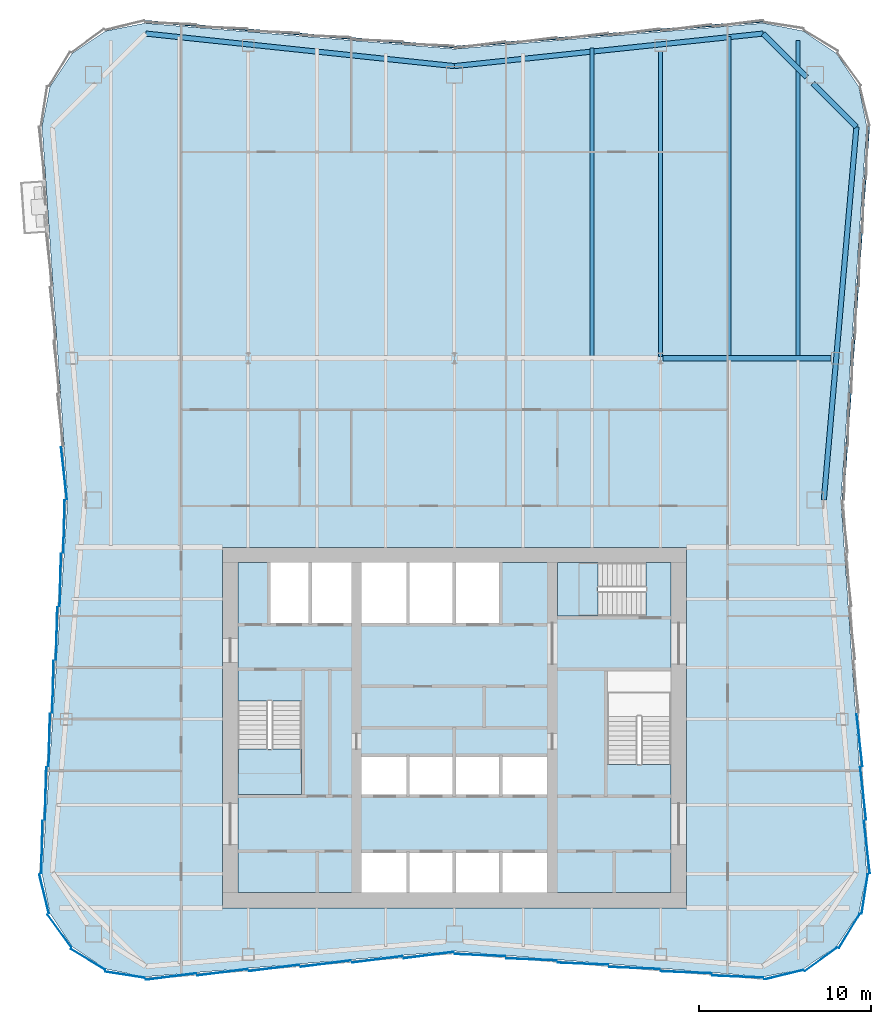
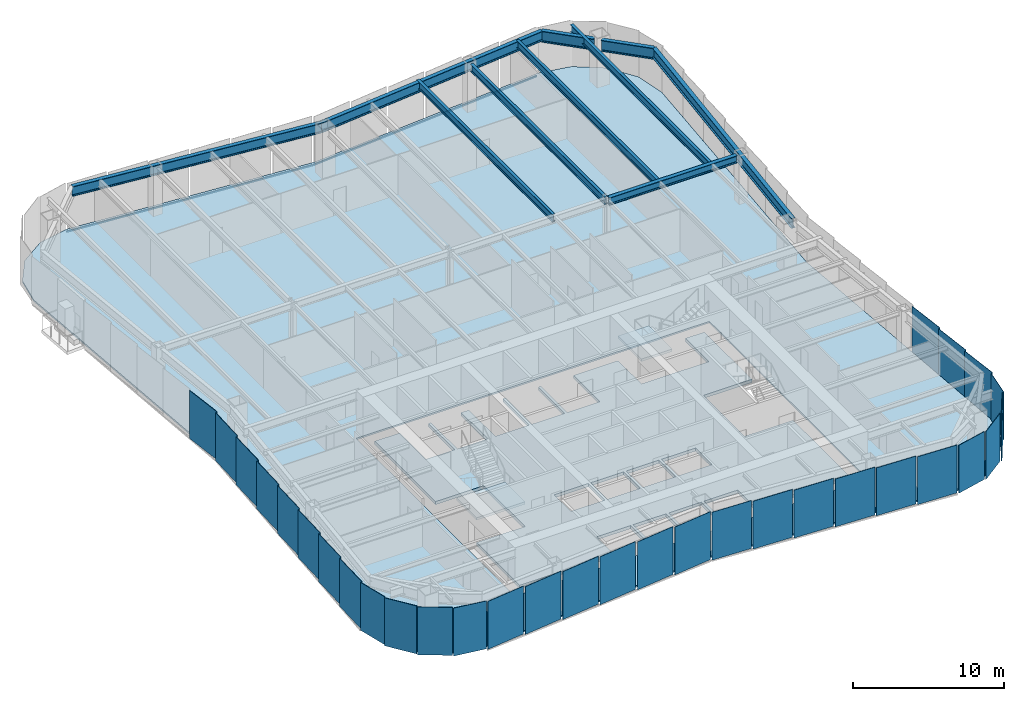
# One storey, part 3 of 10: 31 plates, 10 beams, 4 slabs, 3 members, 8 elements without a shape of their own.
"""IFC4 building model written with IfcOpenShell, lengths in metres."""

from ifc_helpers import new_model, si_unit, direction, frame, origin, origin_2d, place, context, subcontext, project, spatial, polyline, rectangle, i_section, outline, extrude, material, layer, layer_set, material_profile, profile_set, type_object, element, aggregate, save


model = new_model("IFC4")

# Units and contexts
model_context = context("Model", 3, precision=1e-05, world=origin(), true_north=direction((0.0, 1.0)))
body_context = subcontext(model_context, "Body", "Model", "MODEL_VIEW")
ifc_project = project(units=[si_unit("LENGTHUNIT", "METRE"), si_unit("AREAUNIT", "SQUARE_METRE"), si_unit("VOLUMEUNIT", "CUBIC_METRE"), si_unit("PLANEANGLEUNIT", "RADIAN"), si_unit("MASSUNIT", "GRAM", prefix="KILO")], contexts=[model_context])

# Site, building, storey
site_placement = place(None, origin())
site = spatial("IfcSite", under=ifc_project, at=site_placement, CompositionType="ELEMENT")
building_placement = place(site_placement, origin())
building = spatial("IfcBuilding", under=site, at=building_placement, Name="Verdant Reach Tower", CompositionType="ELEMENT")
storey_placement = place(building_placement, frame((0.0, 0.0, 190.0)))
storey = spatial("IfcBuildingStorey", under=building, at=storey_placement, Name="L43", CompositionType="ELEMENT", Elevation=190.0)

# Curtain wall, member
ifc_material_1 = material(Name="Anodised aluminium", Category="aluminium")
curtain_wall_type = type_object("IfcCurtainWallType", Name="EN-CW SYSTEM Z3", PredefinedType="NOTDEFINED", material=ifc_material_1)
curtain_wall_1_placement = place(storey_placement, origin())
curtain_wall_1 = element("IfcCurtainWall", 1, at=curtain_wall_1_placement, inside=storey, type_object=curtain_wall_type, Name="Curtain wall east, L43", PredefinedType="NOTDEFINED")
ifc_material_profile_1 = material_profile(ifc_material_1, rectangle(XDim=0.10009765625, YDim=0.1259765625, at=origin_2d()), Name="Transom 126x100")
ifc_profile_set_1 = profile_set([ifc_material_profile_1], Name="Anodised aluminium")
member_type = type_object("IfcMemberType", Name="EN-TRANSOM Z3", PredefinedType="USERDEFINED", material=ifc_profile_set_1)
member_1_placement = place(storey_placement, frame((22.611328125, 41.282958984375, -0.287109375), z_axis=(0.068764326054, 0.997632932226, 0.0), x_axis=(-0.997632932226, 0.068764326054, 0.0)))
member_1 = element("IfcMember", 2, at=member_1_placement, type_object=member_type, Name="Transom east face part 2 1.1, L43", ObjectType="TRANSOM", PredefinedType="USERDEFINED", context=body_context, shape_type="SweptSolid", body=[
    extrude(rectangle(XDim=0.10009765625, YDim=0.1259765625, at=origin_2d()), origin(), (0.0, 0.0, 1.0), 21.74267578125),
])

# Curtain wall, members
curtain_wall_2_placement = place(storey_placement, origin())
curtain_wall_2 = element("IfcCurtainWall", 3, at=curtain_wall_2_placement, inside=storey, type_object=curtain_wall_type, Name="Curtain wall north, L43", PredefinedType="NOTDEFINED")
member_2_placement = place(storey_placement, frame((17.973388671875, 69.106201171875, -0.287109375), z_axis=(-0.996548750467, -0.083009565369, 0.0), x_axis=(0.083009565369, -0.996548750467, 0.0)))
member_2 = element("IfcMember", 4, at=member_2_placement, type_object=member_type, Name="Transom north face part 1 1.1, L43", ObjectType="TRANSOM", PredefinedType="USERDEFINED", context=body_context, shape_type="SweptSolid", body=[
    extrude(rectangle(XDim=0.10009765625, YDim=0.1259765625, at=origin_2d()), origin(), (0.0, 0.0, 1.0), 18.00244140625),
])
member_3_placement = place(storey_placement, frame((-0.032958984375, 67.61181640625, -0.287109375), z_axis=(-0.996548750467, 0.083009565369, 0.0), x_axis=(-0.083009565369, -0.996548750467, 0.0)))
member_3 = element("IfcMember", 5, at=member_3_placement, type_object=member_type, Name="Transom north face part 2 1.1, L43", ObjectType="TRANSOM", PredefinedType="USERDEFINED", context=body_context, shape_type="SweptSolid", body=[
    extrude(rectangle(XDim=0.10009765625, YDim=0.1259765625, at=origin_2d()), origin(), (0.0, 0.0, 1.0), 18.00244140625),
])
aggregate(curtain_wall_2, [member_2, member_3])

# Beams
ifc_material_2 = material(Name="Steel S355", Category="steel")
ifc_material_profile_2 = material_profile(ifc_material_2, i_section(OverallWidth=0.300048828125, OverallDepth=0.60009765625, WebThickness=0.015380859375, FlangeThickness=0.030029296875, FilletRadius=0.027099609375, at=origin_2d()), Name="HEB 600")
ifc_profile_set_2 = profile_set([ifc_material_profile_2], Name="Steel S355")
beam_type_1 = type_object("IfcBeamType", Name="ST-BEAM-HEB600", PredefinedType="BEAM", material=ifc_profile_set_2)
beam_1_placement = place(storey_placement, frame((12.152587890625, 49.5, 3.570068359375), z_axis=(1.0, 0.0, 0.0), x_axis=(0.0, 1.0, 0.0)))
element("IfcBeam", 6, at=beam_1_placement, inside=storey, type_object=beam_type_1, Name="Row girder, L43", PredefinedType="BEAM", context=body_context, shape_type="SweptSolid", body=[
    extrude(i_section(OverallWidth=0.300048828125, OverallDepth=0.60009765625, WebThickness=0.015380859375, FlangeThickness=0.030029296875, FilletRadius=0.027099609375, at=origin_2d()), origin(), (0.0, 0.0, 1.0), 9.766357421875),
])
ifc_material_profile_3 = material_profile(ifc_material_2, i_section(OverallWidth=0.219970703125, OverallDepth=0.60009765625, WebThickness=0.011962890625, FlangeThickness=0.01904296875, FilletRadius=0.02392578125, at=origin_2d()), Name="IPE 600")
ifc_profile_set_3 = profile_set([ifc_material_profile_3], Name="Steel S355")
beam_type_2 = type_object("IfcBeamType", Name="ST-JOIST-IPE600", PredefinedType="JOIST", material=ifc_profile_set_3)
beam_2_placement = place(storey_placement, frame((8.0, 49.60009765625, 3.570068359375), z_axis=(0.0, 1.0, 0.0), x_axis=(-1.0, 0.0, 0.0)))
element("IfcBeam", 7, at=beam_2_placement, inside=storey, type_object=beam_type_2, Name="Floor joist, L43", PredefinedType="JOIST", context=body_context, shape_type="SweptSolid", body=[
    extrude(i_section(OverallWidth=0.219970703125, OverallDepth=0.60009765625, WebThickness=0.011962890625, FlangeThickness=0.01904296875, FilletRadius=0.02392578125, at=origin_2d()), origin(), (0.0, 0.0, 1.0), 17.964599609375),
])
beam_3_placement = place(storey_placement, frame((12.0, 49.60009765625, 3.570068359375), z_axis=(0.0, 1.0, 0.0), x_axis=(-1.0, 0.0, 0.0)))
element("IfcBeam", 8, at=beam_3_placement, inside=storey, type_object=beam_type_2, Name="Floor joist, L43", PredefinedType="JOIST", context=body_context, shape_type="SweptSolid", body=[
    extrude(i_section(OverallWidth=0.219970703125, OverallDepth=0.60009765625, WebThickness=0.011962890625, FlangeThickness=0.01904296875, FilletRadius=0.02392578125, at=origin_2d()), origin(), (0.0, 0.0, 1.0), 17.75),
])
beam_4_placement = place(storey_placement, frame((16.0, 49.60009765625, 3.570068359375), z_axis=(0.0, 1.0, 0.0), x_axis=(-1.0, 0.0, 0.0)))
element("IfcBeam", 9, at=beam_4_placement, inside=storey, type_object=beam_type_2, Name="Floor joist, L43", PredefinedType="JOIST", context=body_context, shape_type="SweptSolid", body=[
    extrude(i_section(OverallWidth=0.219970703125, OverallDepth=0.60009765625, WebThickness=0.011962890625, FlangeThickness=0.01904296875, FilletRadius=0.02392578125, at=origin_2d()), origin(), (0.0, 0.0, 1.0), 18.631103515625),
])
beam_5_placement = place(storey_placement, frame((20.0, 49.60009765625, 3.570068359375), z_axis=(0.0, 1.0, 0.0), x_axis=(-1.0, 0.0, 0.0)))
element("IfcBeam", 10, at=beam_5_placement, inside=storey, type_object=beam_type_2, Name="Floor joist, L43", PredefinedType="JOIST", context=body_context, shape_type="SweptSolid", body=[
    extrude(i_section(OverallWidth=0.219970703125, OverallDepth=0.60009765625, WebThickness=0.011962890625, FlangeThickness=0.01904296875, FilletRadius=0.02392578125, at=origin_2d()), origin(), (0.0, 0.0, 1.0), 18.390380859375),
])
ifc_material_profile_4 = material_profile(ifc_material_2, i_section(OverallWidth=0.300048828125, OverallDepth=0.800048828125, WebThickness=0.017578125, FlangeThickness=0.032958984375, FilletRadius=0.030029296875, at=origin_2d()), Name="HEB 800")
ifc_profile_set_4 = profile_set([ifc_material_profile_4], Name="Steel S355")
beam_type_3 = type_object("IfcBeamType", Name="ST-SPANDREL-HEB800", PredefinedType="SPANDREL", material=ifc_profile_set_4)
for number, where, z_axis, x_axis, name in (
    (11, (-17.9658203125, 68.39501953125, 3.469970703125), (0.994483067002, -0.104897232783, 0.0), (0.104897232783, 0.994483067002, 0.0), "Edge beam, L43"),
    (12, (0.0, 66.5, 3.469970703125), (0.994483067002, 0.104897232783, 0.0), (-0.104897232783, 0.994483067002, 0.0), "Edge beam, L43"),
):
    element("IfcBeam", number, at=place(storey_placement, frame(where, z_axis=z_axis, x_axis=x_axis)), inside=storey, type_object=beam_type_3, Name=name, PredefinedType="SPANDREL", context=body_context, shape_type="SweptSolid", body=[
        extrude(i_section(OverallWidth=0.300048828125, OverallDepth=0.800048828125, WebThickness=0.017578125, FlangeThickness=0.032958984375, FilletRadius=0.030029296875, at=origin_2d()), origin(), (0.0, 0.0, 1.0), 18.0654296875),
    ])
beam_6_placement = place(storey_placement, frame((23.39599609375, 62.96142578125, 3.469970703125), z_axis=(-0.086996024331, -0.996208658741, 0.0), x_axis=(0.996208658741, -0.086996024331, 0.0)))
element("IfcBeam", 13, at=beam_6_placement, inside=storey, type_object=beam_type_3, Name="Edge beam, L43", PredefinedType="SPANDREL", context=body_context, shape_type="SweptSolid", body=[
    extrude(i_section(OverallWidth=0.300048828125, OverallDepth=0.800048828125, WebThickness=0.017578125, FlangeThickness=0.032958984375, FilletRadius=0.030029296875, at=origin_2d()), origin(), (0.0, 0.0, 1.0), 21.7939453125),
])
ifc_material_profile_5 = material_profile(ifc_material_2, i_section(OverallWidth=0.302001953125, OverallDepth=0.909912109375, WebThickness=0.02099609375, FlangeThickness=0.0400390625, FilletRadius=0.030029296875, at=origin_2d()), Name="HEM 900")
ifc_profile_set_5 = profile_set([ifc_material_profile_5], Name="Steel S355")
beam_type_4 = type_object("IfcBeamType", Name="ST-SPANDREL-HEM900", PredefinedType="SPANDREL", material=ifc_profile_set_5)
beam_7_placement = place(storey_placement, frame((17.9658203125, 68.39501953125, 3.4150390625), z_axis=(0.706868394255, -0.707345087777, 0.0), x_axis=(0.707345087777, 0.706868394255, 0.0)))
element("IfcBeam", 14, at=beam_7_placement, inside=storey, type_object=beam_type_4, Name="Edge beam, L43", PredefinedType="SPANDREL", context=body_context, shape_type="SweptSolid", body=[
    extrude(i_section(OverallWidth=0.302001953125, OverallDepth=0.909912109375, WebThickness=0.02099609375, FlangeThickness=0.0400390625, FilletRadius=0.030029296875, at=origin_2d()), origin(), (0.0, 0.0, 1.0), 3.5849609375),
])
beam_8_placement = place(storey_placement, frame((20.85888671875, 65.5, 3.4150390625), z_axis=(0.706902680526, -0.707310822952, 0.0), x_axis=(0.707310822952, 0.706902680526, 0.0)))
element("IfcBeam", 15, at=beam_8_placement, inside=storey, type_object=beam_type_4, Name="Edge beam, L43", PredefinedType="SPANDREL", context=body_context, shape_type="SweptSolid", body=[
    extrude(i_section(OverallWidth=0.302001953125, OverallDepth=0.909912109375, WebThickness=0.02099609375, FlangeThickness=0.0400390625, FilletRadius=0.030029296875, at=origin_2d()), origin(), (0.0, 0.0, 1.0), 3.589111328125),
])

# Stair, slab
ifc_material_3 = material(Name="Concrete C40/50", Category="concrete")
stair_type = type_object("IfcStairType", Name="CO-STAIR", PredefinedType="HALF_TURN_STAIR", material=ifc_material_3)
stair_1_placement = place(storey_placement, origin())
stair_1 = element("IfcStair", 16, at=stair_1_placement, inside=storey, type_object=stair_type, Name="L43 Exit stair 1", PredefinedType="HALF_TURN_STAIR")
ifc_layer_1 = layer(ifc_material_3, 0.199951171875)
ifc_layer_set_1 = layer_set([ifc_layer_1], Name="CO-STAIR-LANDING")
slab_type_1 = type_object("IfcSlabType", Name="CO-STAIR-LANDING", PredefinedType="LANDING", material=ifc_layer_set_1)
slab_1_placement = place(storey_placement, frame((0.0, 0.0, 1.800048828125)))
slab_1 = element("IfcSlab", 17, at=slab_1_placement, type_object=slab_type_1, Name="ST-1 landing 1", PredefinedType="LANDING", context=body_context, shape_type="SweptSolid", body=[
    extrude(outline(polyline([(-12.60009765625, 26.75), (-12.60009765625, 24.10009765625), (-8.89990234375, 24.10009765625), (-8.89990234375, 26.75), (-12.60009765625, 26.75)])), origin(), (0.0, 0.0, 1.0), 0.199951171875),
])
aggregate(stair_1, [slab_1])

stair_2_placement = place(storey_placement, origin())
stair_2 = element("IfcStair", 18, at=stair_2_placement, inside=storey, type_object=stair_type, Name="L43 Exit stair 3", PredefinedType="HALF_TURN_STAIR")
slab_2_placement = place(storey_placement, frame((0.0, 0.0, 1.800048828125)))
slab_2 = element("IfcSlab", 19, at=slab_2_placement, type_object=slab_type_1, Name="ST-3 landing 1", PredefinedType="LANDING", context=body_context, shape_type="SweptSolid", body=[
    extrude(outline(polyline([(8.35009765625, 37.60009765625), (6.0, 37.60009765625), (6.0, 34.5), (8.35009765625, 34.5), (8.35009765625, 37.60009765625)])), origin(), (0.0, 0.0, 1.0), 0.199951171875),
])
aggregate(stair_2, [slab_2])

# Curtain wall, plates
curtain_wall_3_placement = place(storey_placement, origin())
curtain_wall_3 = element("IfcCurtainWall", 20, at=curtain_wall_3_placement, inside=storey, type_object=curtain_wall_type, Name="Curtain wall south-east corner, L43", PredefinedType="NOTDEFINED")
ifc_material_4 = material(Name="Tinted glass with champagne spandrel", Category="glass")
ifc_layer_2 = layer(ifc_material_4, 0.031982421875)
ifc_layer_set_2 = layer_set([ifc_layer_2], Name="EN-PANEL CHAMPAGNE")
plate_type_1 = type_object("IfcPlateType", Name="EN-PANEL CHAMPAGNE", PredefinedType="CURTAIN_PANEL", material=ifc_layer_set_2)
plate_1_placement = place(storey_placement, frame((19.171875, 13.62353515625, -0.22412109375), z_axis=(0.0, 0.0, 1.0), x_axis=(0.971655117833, 0.236402901821, 0.0)))
plate_1 = element("IfcPlate", 21, at=plate_1_placement, type_object=plate_type_1, Name="Glass panel south-east corner 1.1, L43", PredefinedType="CURTAIN_PANEL", context=body_context, shape_type="SweptSolid", body=[
    extrude(rectangle(XDim=2.3154296875, YDim=0.031982421875, at=origin_2d()), origin(), (0.0, 0.0, 1.0), 3.8740234375),
])
plate_2_placement = place(storey_placement, frame((21.328857421875, 14.51806640625, -0.22412109375), z_axis=(0.0, 0.0, 1.0), x_axis=(0.807456768214, 0.589926747542, 0.0)))
plate_2 = element("IfcPlate", 22, at=plate_2_placement, type_object=plate_type_1, Name="Glass panel south-east corner 2.1, L43", PredefinedType="CURTAIN_PANEL", context=body_context, shape_type="SweptSolid", body=[
    extrude(rectangle(XDim=2.321533203125, YDim=0.031982421875, at=origin_2d()), origin(), (0.0, 0.0, 1.0), 3.8740234375),
])

curtain_wall_4_placement = place(storey_placement, origin())
curtain_wall_4 = element("IfcCurtainWall", 23, at=curtain_wall_4_placement, inside=storey, type_object=curtain_wall_type, Name="Curtain wall west, L43", PredefinedType="NOTDEFINED")
plate_3_placement = place(storey_placement, frame((-23.358642578125, 30.382568359375, -0.22412109375), z_axis=(0.0, 0.0, 1.0), x_axis=(-0.026965318308, -0.999636369691, 0.0)))
plate_3 = element("IfcPlate", 24, at=plate_3_placement, type_object=plate_type_1, Name="Glass panel west face part 2 4.1, L43", PredefinedType="CURTAIN_PANEL", context=body_context, shape_type="SweptSolid", body=[
    extrude(rectangle(XDim=3.052490234375, YDim=0.031982421875, at=origin_2d()), origin(), (0.0, 0.0, 1.0), 3.8740234375),
])
plate_4_placement = place(storey_placement, frame((-23.572998046875, 27.275390625, -0.22412109375), z_axis=(0.0, 0.0, 1.0), x_axis=(-0.026965318308, -0.999636369691, 0.0)))
plate_4 = element("IfcPlate", 25, at=plate_4_placement, type_object=plate_type_1, Name="Glass panel west face part 2 5.1, L43", PredefinedType="CURTAIN_PANEL", context=body_context, shape_type="SweptSolid", body=[
    extrude(rectangle(XDim=3.052490234375, YDim=0.031982421875, at=origin_2d()), origin(), (0.0, 0.0, 1.0), 3.8740234375),
])
plate_5_placement = place(storey_placement, frame((-23.787353515625, 24.168212890625, -0.22412109375), z_axis=(0.0, 0.0, 1.0), x_axis=(-0.026965318308, -0.999636369691, 0.0)))
plate_5 = element("IfcPlate", 26, at=plate_5_placement, type_object=plate_type_1, Name="Glass panel west face part 2 6.1, L43", PredefinedType="CURTAIN_PANEL", context=body_context, shape_type="SweptSolid", body=[
    extrude(rectangle(XDim=3.052490234375, YDim=0.031982421875, at=origin_2d()), origin(), (0.0, 0.0, 1.0), 3.8740234375),
])

curtain_wall_5_placement = place(storey_placement, origin())
curtain_wall_5 = element("IfcCurtainWall", 27, at=curtain_wall_5_placement, inside=storey, type_object=curtain_wall_type, Name="Curtain wall south-west corner, L43", PredefinedType="NOTDEFINED")
plate_6_placement = place(storey_placement, frame((-21.328857421875, 14.51806640625, -0.22412109375), z_axis=(0.0, 0.0, 1.0), x_axis=(0.853988701636, -0.520291550457, 0.0)))
plate_6 = element("IfcPlate", 28, at=plate_6_placement, type_object=plate_type_1, Name="Glass panel south-west corner 3.1, L43", PredefinedType="CURTAIN_PANEL", context=body_context, shape_type="SweptSolid", body=[
    extrude(rectangle(XDim=2.321533203125, YDim=0.031982421875, at=origin_2d()), origin(), (0.0, 0.0, 1.0), 3.8740234375),
])
plate_7_placement = place(storey_placement, frame((-19.171875, 13.62353515625, -0.22412109375), z_axis=(0.0, 0.0, 1.0), x_axis=(0.988029071555, -0.154267798848, 0.0)))
plate_7 = element("IfcPlate", 29, at=plate_7_placement, type_object=plate_type_1, Name="Glass panel south-west corner 4.1, L43", PredefinedType="CURTAIN_PANEL", context=body_context, shape_type="SweptSolid", body=[
    extrude(rectangle(XDim=2.3154296875, YDim=0.031982421875, at=origin_2d()), origin(), (0.0, 0.0, 1.0), 3.8740234375),
])

curtain_wall_6_placement = place(storey_placement, origin())
curtain_wall_6 = element("IfcCurtainWall", 30, at=curtain_wall_6_placement, inside=storey, type_object=curtain_wall_type, Name="Curtain wall south, L43", PredefinedType="NOTDEFINED")
plate_8_placement = place(storey_placement, frame((-16.49853515625, 13.516357421875, -0.22412109375), z_axis=(0.0, 0.0, 1.0), x_axis=(0.992237766434, 0.124355196363, 0.0)))
plate_8 = element("IfcPlate", 31, at=plate_8_placement, type_object=plate_type_1, Name="Glass panel south face part 1 1.1, L43", PredefinedType="CURTAIN_PANEL", context=body_context, shape_type="SweptSolid", body=[
    extrude(rectangle(XDim=2.963623046875, YDim=0.031982421875, at=origin_2d()), origin(), (0.0, 0.0, 1.0), 3.8740234375),
])
plate_9_placement = place(storey_placement, frame((-13.490966796875, 13.766357421875, -0.22412109375), z_axis=(0.0, 0.0, 1.0), x_axis=(0.992194034542, 0.124703639961, 0.0)))
plate_9 = element("IfcPlate", 32, at=plate_9_placement, type_object=plate_type_1, Name="Glass panel south face part 1 2.1, L43", PredefinedType="CURTAIN_PANEL", context=body_context, shape_type="SweptSolid", body=[
    extrude(rectangle(XDim=2.948486328125, YDim=0.031982421875, at=origin_2d()), origin(), (0.0, 0.0, 1.0), 3.8740234375),
])
plate_10_placement = place(storey_placement, frame((4.490966796875, 14.516357421875, -0.22412109375), z_axis=(0.0, 0.0, 1.0), x_axis=(0.999149202059, -0.041241629766, 0.0)))
plate_10 = element("IfcPlate", 33, at=plate_10_placement, type_object=plate_type_1, Name="Glass panel south face part 2 2.1, L43", PredefinedType="CURTAIN_PANEL", context=body_context, shape_type="SweptSolid", body=[
    extrude(rectangle(XDim=2.948486328125, YDim=0.031982421875, at=origin_2d()), origin(), (0.0, 0.0, 1.0), 3.8740234375),
])
plate_11_placement = place(storey_placement, frame((7.490966796875, 14.266357421875, -0.22412109375), z_axis=(0.0, 0.0, 1.0), x_axis=(0.999149202059, -0.041241629766, 0.0)))
plate_11 = element("IfcPlate", 34, at=plate_11_placement, type_object=plate_type_1, Name="Glass panel south face part 2 3.1, L43", PredefinedType="CURTAIN_PANEL", context=body_context, shape_type="SweptSolid", body=[
    extrude(rectangle(XDim=2.948486328125, YDim=0.031982421875, at=origin_2d()), origin(), (0.0, 0.0, 1.0), 3.8740234375),
])
plate_12_placement = place(storey_placement, frame((10.490966796875, 14.016357421875, -0.22412109375), z_axis=(0.0, 0.0, 1.0), x_axis=(0.999149202059, -0.041241629766, 0.0)))
plate_12 = element("IfcPlate", 35, at=plate_12_placement, type_object=plate_type_1, Name="Glass panel south face part 2 4.1, L43", PredefinedType="CURTAIN_PANEL", context=body_context, shape_type="SweptSolid", body=[
    extrude(rectangle(XDim=2.948486328125, YDim=0.031982421875, at=origin_2d()), origin(), (0.0, 0.0, 1.0), 3.8740234375),
])

# Plate
ifc_material_5 = material(Name="Tinted glass with copper spandrel", Category="glass")
ifc_layer_3 = layer(ifc_material_5, 0.031982421875)
ifc_layer_set_3 = layer_set([ifc_layer_3], Name="EN-PANEL COPPER")
plate_type_2 = type_object("IfcPlateType", Name="EN-PANEL COPPER", PredefinedType="CURTAIN_PANEL", material=ifc_layer_set_3)
plate_13_placement = place(storey_placement, frame((22.98193359375, 16.171142578125, -0.22412109375), z_axis=(0.0, 0.0, 1.0), x_axis=(0.520291550457, 0.853988701636, 0.0)))
plate_13 = element("IfcPlate", 36, at=plate_13_placement, type_object=plate_type_2, Name="Glass panel south-east corner 3.1, L43", PredefinedType="CURTAIN_PANEL", context=body_context, shape_type="SweptSolid", body=[
    extrude(rectangle(XDim=2.321533203125, YDim=0.031982421875, at=origin_2d()), origin(), (0.0, 0.0, 1.0), 3.8740234375),
])

plate_14_placement = place(storey_placement, frame((23.87646484375, 18.32763671875, -0.22412109375), z_axis=(0.0, 0.0, 1.0), x_axis=(0.154311870796, 0.988022189291, 0.0)))
plate_14 = element("IfcPlate", 37, at=plate_14_placement, type_object=plate_type_2, Name="Glass panel south-east corner 4.1, L43", PredefinedType="CURTAIN_PANEL", context=body_context, shape_type="SweptSolid", body=[
    extrude(rectangle(XDim=2.314697265625, YDim=0.031982421875, at=origin_2d()), origin(), (0.0, 0.0, 1.0), 3.8740234375),
])

aggregate(curtain_wall_3, [plate_1, plate_2, plate_13, plate_14])

plate_15_placement = place(storey_placement, frame((24.001708984375, 21.053955078125, -0.22412109375), z_axis=(0.0, 0.0, 1.0), x_axis=(-0.110214229533, 0.993907854687, 0.0)))
plate_15 = element("IfcPlate", 38, at=plate_15_placement, type_object=plate_type_2, Name="Glass panel east face part 1 1.1, L43", PredefinedType="CURTAIN_PANEL", context=body_context, shape_type="SweptSolid", body=[
    extrude(rectangle(XDim=3.06689453125, YDim=0.031982421875, at=origin_2d()), origin(), (0.0, 0.0, 1.0), 3.8740234375),
])

plate_16_placement = place(storey_placement, frame((23.787353515625, 24.168212890625, -0.22412109375), z_axis=(0.0, 0.0, 1.0), x_axis=(-0.110518162674, 0.993874104562, 0.0)))
plate_16 = element("IfcPlate", 39, at=plate_16_placement, type_object=plate_type_2, Name="Glass panel east face part 1 2.1, L43", PredefinedType="CURTAIN_PANEL", context=body_context, shape_type="SweptSolid", body=[
    extrude(rectangle(XDim=3.052490234375, YDim=0.031982421875, at=origin_2d()), origin(), (0.0, 0.0, 1.0), 3.8740234375),
])

plate_17_placement = place(storey_placement, frame((23.572998046875, 27.275390625, -0.22412109375), z_axis=(0.0, 0.0, 1.0), x_axis=(-0.110518162674, 0.993874104562, 0.0)))
plate_17 = element("IfcPlate", 40, at=plate_17_placement, type_object=plate_type_2, Name="Glass panel east face part 1 3.1, L43", PredefinedType="CURTAIN_PANEL", context=body_context, shape_type="SweptSolid", body=[
    extrude(rectangle(XDim=3.052490234375, YDim=0.031982421875, at=origin_2d()), origin(), (0.0, 0.0, 1.0), 3.8740234375),
])

aggregate(curtain_wall_1, [plate_15, plate_16, plate_17, member_1])

plate_18_placement = place(storey_placement, frame((-22.716064453125, 42.7998046875, -0.22412109375), z_axis=(0.0, 0.0, 1.0), x_axis=(0.110600785385, -0.993864913493, 0.0)))
plate_18 = element("IfcPlate", 41, at=plate_18_placement, type_object=plate_type_2, Name="Glass panel west face part 1 7.1, L43", PredefinedType="CURTAIN_PANEL", context=body_context, shape_type="SweptSolid", body=[
    extrude(rectangle(XDim=3.044921875, YDim=0.031982421875, at=origin_2d()), origin(), (0.0, 0.0, 1.0), 3.8740234375),
])

plate_19_placement = place(storey_placement, frame((-22.716064453125, 39.7001953125, -0.22412109375), z_axis=(0.0, 0.0, 1.0), x_axis=(-0.027048420339, -0.999634124546, 0.0)))
plate_19 = element("IfcPlate", 42, at=plate_19_placement, type_object=plate_type_2, Name="Glass panel west face part 2 1.1, L43", PredefinedType="CURTAIN_PANEL", context=body_context, shape_type="SweptSolid", body=[
    extrude(rectangle(XDim=3.044921875, YDim=0.031982421875, at=origin_2d()), origin(), (0.0, 0.0, 1.0), 3.8740234375),
])

plate_20_placement = place(storey_placement, frame((-24.001708984375, 21.053955078125, -0.22412109375), z_axis=(0.0, 0.0, 1.0), x_axis=(-0.026659626966, -0.999644568979, 0.0)))
plate_20 = element("IfcPlate", 43, at=plate_20_placement, type_object=plate_type_2, Name="Glass panel west face part 2 7.1, L43", PredefinedType="CURTAIN_PANEL", context=body_context, shape_type="SweptSolid", body=[
    extrude(rectangle(XDim=3.06689453125, YDim=0.031982421875, at=origin_2d()), origin(), (0.0, 0.0, 1.0), 3.8740234375),
])

plate_21_placement = place(storey_placement, frame((-10.490966796875, 14.016357421875, -0.22412109375), z_axis=(0.0, 0.0, 1.0), x_axis=(0.992194034542, 0.124703639961, 0.0)))
plate_21 = element("IfcPlate", 44, at=plate_21_placement, type_object=plate_type_2, Name="Glass panel south face part 1 3.1, L43", PredefinedType="CURTAIN_PANEL", context=body_context, shape_type="SweptSolid", body=[
    extrude(rectangle(XDim=2.948486328125, YDim=0.031982421875, at=origin_2d()), origin(), (0.0, 0.0, 1.0), 3.8740234375),
])

plate_22_placement = place(storey_placement, frame((-7.490966796875, 14.266357421875, -0.22412109375), z_axis=(0.0, 0.0, 1.0), x_axis=(0.992194034542, 0.124703639961, 0.0)))
plate_22 = element("IfcPlate", 45, at=plate_22_placement, type_object=plate_type_2, Name="Glass panel south face part 1 4.1, L43", PredefinedType="CURTAIN_PANEL", context=body_context, shape_type="SweptSolid", body=[
    extrude(rectangle(XDim=2.948486328125, YDim=0.031982421875, at=origin_2d()), origin(), (0.0, 0.0, 1.0), 3.8740234375),
])

plate_23_placement = place(storey_placement, frame((-4.490966796875, 14.516357421875, -0.22412109375), z_axis=(0.0, 0.0, 1.0), x_axis=(0.992194034542, 0.124703639961, 0.0)))
plate_23 = element("IfcPlate", 46, at=plate_23_placement, type_object=plate_type_2, Name="Glass panel south face part 1 5.1, L43", PredefinedType="CURTAIN_PANEL", context=body_context, shape_type="SweptSolid", body=[
    extrude(rectangle(XDim=2.948486328125, YDim=0.031982421875, at=origin_2d()), origin(), (0.0, 0.0, 1.0), 3.8740234375),
])

plate_24_placement = place(storey_placement, frame((13.490966796875, 13.766357421875, -0.22412109375), z_axis=(0.0, 0.0, 1.0), x_axis=(0.999149202059, -0.041241629766, 0.0)))
plate_24 = element("IfcPlate", 47, at=plate_24_placement, type_object=plate_type_2, Name="Glass panel south face part 2 5.1, L43", PredefinedType="CURTAIN_PANEL", context=body_context, shape_type="SweptSolid", body=[
    extrude(rectangle(XDim=2.948486328125, YDim=0.031982421875, at=origin_2d()), origin(), (0.0, 0.0, 1.0), 3.8740234375),
])

plate_25_placement = place(storey_placement, frame((16.49853515625, 13.516357421875, -0.22412109375), z_axis=(0.0, 0.0, 1.0), x_axis=(0.999163623568, -0.040890748818, 0.0)))
plate_25 = element("IfcPlate", 48, at=plate_25_placement, type_object=plate_type_2, Name="Glass panel south face part 2 6.1, L43", PredefinedType="CURTAIN_PANEL", context=body_context, shape_type="SweptSolid", body=[
    extrude(rectangle(XDim=2.963623046875, YDim=0.031982421875, at=origin_2d()), origin(), (0.0, 0.0, 1.0), 3.8740234375),
])

ifc_material_6 = material(Name="Tinted glass with dark bronze spandrel", Category="glass")
ifc_layer_4 = layer(ifc_material_6, 0.031982421875)
ifc_layer_set_4 = layer_set([ifc_layer_4], Name="EN-PANEL DARK")
plate_type_3 = type_object("IfcPlateType", Name="EN-PANEL DARK", PredefinedType="CURTAIN_PANEL", material=ifc_layer_set_4)
plate_26_placement = place(storey_placement, frame((-22.93017578125, 36.5966796875, -0.22412109375), z_axis=(0.0, 0.0, 1.0), x_axis=(-0.026965318308, -0.999636369691, 0.0)))
plate_26 = element("IfcPlate", 49, at=plate_26_placement, type_object=plate_type_3, Name="Glass panel west face part 2 2.1, L43", PredefinedType="CURTAIN_PANEL", context=body_context, shape_type="SweptSolid", body=[
    extrude(rectangle(XDim=3.052490234375, YDim=0.031982421875, at=origin_2d()), origin(), (0.0, 0.0, 1.0), 3.8740234375),
])

plate_27_placement = place(storey_placement, frame((-23.14453125, 33.48974609375, -0.22412109375), z_axis=(0.0, 0.0, 1.0), x_axis=(-0.026965318308, -0.999636369691, 0.0)))
plate_27 = element("IfcPlate", 50, at=plate_27_placement, type_object=plate_type_3, Name="Glass panel west face part 2 3.1, L43", PredefinedType="CURTAIN_PANEL", context=body_context, shape_type="SweptSolid", body=[
    extrude(rectangle(XDim=3.052490234375, YDim=0.031982421875, at=origin_2d()), origin(), (0.0, 0.0, 1.0), 3.8740234375),
])

aggregate(curtain_wall_4, [plate_18, plate_19, plate_26, plate_27, plate_3, plate_4, plate_5, plate_20])

plate_28_placement = place(storey_placement, frame((-23.87646484375, 18.32763671875, -0.22412109375), z_axis=(0.0, 0.0, 1.0), x_axis=(0.23644624331, -0.97164457186, 0.0)))
plate_28 = element("IfcPlate", 51, at=plate_28_placement, type_object=plate_type_3, Name="Glass panel south-west corner 1.1, L43", PredefinedType="CURTAIN_PANEL", context=body_context, shape_type="SweptSolid", body=[
    extrude(rectangle(XDim=2.314697265625, YDim=0.031982421875, at=origin_2d()), origin(), (0.0, 0.0, 1.0), 3.8740234375),
])

plate_29_placement = place(storey_placement, frame((-22.98193359375, 16.171142578125, -0.22412109375), z_axis=(0.0, 0.0, 1.0), x_axis=(0.589926747542, -0.807456768214, 0.0)))
plate_29 = element("IfcPlate", 52, at=plate_29_placement, type_object=plate_type_3, Name="Glass panel south-west corner 2.1, L43", PredefinedType="CURTAIN_PANEL", context=body_context, shape_type="SweptSolid", body=[
    extrude(rectangle(XDim=2.321533203125, YDim=0.031982421875, at=origin_2d()), origin(), (0.0, 0.0, 1.0), 3.8740234375),
])

aggregate(curtain_wall_5, [plate_28, plate_29, plate_6, plate_7])

plate_30_placement = place(storey_placement, frame((-1.495361328125, 14.76611328125, -0.22412109375), z_axis=(0.0, 0.0, 1.0), x_axis=(0.992178382939, 0.124828107529, 0.0)))
plate_30 = element("IfcPlate", 53, at=plate_30_placement, type_object=plate_type_3, Name="Glass panel south face part 1 6.1, L43", PredefinedType="CURTAIN_PANEL", context=body_context, shape_type="SweptSolid", body=[
    extrude(rectangle(XDim=2.939453125, YDim=0.031982421875, at=origin_2d()), origin(), (0.0, 0.0, 1.0), 3.8740234375),
])

plate_31_placement = place(storey_placement, frame((1.495361328125, 14.76611328125, -0.22412109375), z_axis=(0.0, 0.0, 1.0), x_axis=(0.999144020525, -0.041366970501, 0.0)))
plate_31 = element("IfcPlate", 54, at=plate_31_placement, type_object=plate_type_3, Name="Glass panel south face part 2 1.1, L43", PredefinedType="CURTAIN_PANEL", context=body_context, shape_type="SweptSolid", body=[
    extrude(rectangle(XDim=2.939453125, YDim=0.031982421875, at=origin_2d()), origin(), (0.0, 0.0, 1.0), 3.8740234375),
])

aggregate(curtain_wall_6, [plate_8, plate_9, plate_21, plate_22, plate_23, plate_30, plate_31, plate_10, plate_11, plate_12, plate_24, plate_25])

# Slabs
ifc_material_7 = material(Name="Concrete C35/45", Category="concrete")
ifc_layer_5 = layer(ifc_material_7, 0.1298828125)
ifc_layer_set_5 = layer_set([ifc_layer_5], Name="ST-SLAB-130")
slab_type_2 = type_object("IfcSlabType", Name="ST-SLAB-130", PredefinedType="FLOOR", material=ifc_layer_set_5)
slab_3_placement = place(storey_placement, frame((0.0, 0.0, -0.1298828125)))
element("IfcSlab", 55, at=slab_3_placement, inside=storey, type_object=slab_type_2, Name="Floor slab L43", PredefinedType="FLOOR", context=body_context, shape_type="SweptSolid", body=[
    extrude(outline(polyline([(0.0, 15.0), (-18.0, 13.5), (-20.296142578125, 13.956787109375), (-22.24267578125, 15.25732421875), (-23.543212890625, 17.203857421875), (-24.0, 19.5), (-22.5, 41.25), (-24.0, 63.0), (-23.543212890625, 65.296142578125), (-22.24267578125, 67.24267578125), (-20.296142578125, 68.543212890625), (-18.0, 69.0), (0.0, 67.5), (18.0, 69.0), (20.296142578125, 68.543212890625), (22.24267578125, 67.24267578125), (23.543212890625, 65.296142578125), (24.0, 63.0), (22.5, 41.25), (24.0, 19.5), (23.543212890625, 17.203857421875), (22.24267578125, 15.25732421875), (20.296142578125, 13.956787109375), (18.0, 13.5), (0.0, 15.0)]), holes=[polyline([(13.5, 38.5), (-13.5, 38.5), (-13.5, 17.5), (13.5, 17.5), (13.5, 38.5)])]), origin(), (0.0, 0.0, 1.0), 0.1298828125),
])
ifc_layer_6 = layer(ifc_material_7, 0.25)
ifc_layer_set_6 = layer_set([ifc_layer_6], Name="ST-SLAB-250")
slab_type_3 = type_object("IfcSlabType", Name="ST-SLAB-250", PredefinedType="FLOOR", material=ifc_layer_set_6)
slab_4_placement = place(storey_placement, frame((0.0, 0.0, -0.25)))
element("IfcSlab", 56, at=slab_4_placement, inside=storey, type_object=slab_type_3, Name="Core floor slab L43", PredefinedType="FLOOR", context=body_context, shape_type="SweptSolid", body=[
    extrude(outline(polyline([(12.60009765625, 18.39990234375), (5.39990234375, 18.39990234375), (5.39990234375, 20.699951171875), (2.800048828125, 20.699951171875), (2.800048828125, 18.39990234375), (2.60009765625, 18.39990234375), (2.60009765625, 20.699951171875), (0.10009765625, 20.699951171875), (0.10009765625, 18.39990234375), (-0.10009765625, 18.39990234375), (-0.10009765625, 20.699951171875), (-2.60009765625, 20.699951171875), (-2.60009765625, 18.39990234375), (-2.800048828125, 18.39990234375), (-2.800048828125, 20.699951171875), (-5.39990234375, 20.699951171875), (-5.39990234375, 18.39990234375), (-12.60009765625, 18.39990234375), (-12.60009765625, 24.10009765625), (-8.89990234375, 24.10009765625), (-8.89990234375, 29.548095703125), (-12.60009765625, 29.548095703125), (-12.60009765625, 37.60009765625), (-10.699951171875, 37.60009765625), (-10.699951171875, 34.10009765625), (-8.5, 34.10009765625), (-8.5, 37.60009765625), (-8.300048828125, 37.60009765625), (-8.300048828125, 34.10009765625), (-6.0, 34.10009765625), (-6.0, 37.60009765625), (-5.39990234375, 37.60009765625), (-5.39990234375, 34.10009765625), (-2.800048828125, 34.10009765625), (-2.800048828125, 37.60009765625), (-2.60009765625, 37.60009765625), (-2.60009765625, 34.10009765625), (-0.10009765625, 34.10009765625), (-0.10009765625, 37.60009765625), (0.10009765625, 37.60009765625), (0.10009765625, 34.10009765625), (2.60009765625, 34.10009765625), (2.60009765625, 37.60009765625), (6.0, 37.60009765625), (6.0, 34.5), (11.14794921875, 34.5), (11.14794921875, 37.60009765625), (12.60009765625, 37.60009765625), (12.60009765625, 31.300048828125), (8.89990234375, 31.300048828125), (8.89990234375, 25.85205078125), (12.60009765625, 25.85205078125), (12.60009765625, 18.39990234375)]), holes=[polyline([(-2.800048828125, 24.10009765625), (-2.800048828125, 26.300048828125), (-5.39990234375, 26.300048828125), (-5.39990234375, 24.10009765625), (-2.800048828125, 24.10009765625)]), polyline([(-0.10009765625, 24.10009765625), (-0.10009765625, 26.300048828125), (-2.60009765625, 26.300048828125), (-2.60009765625, 24.10009765625), (-0.10009765625, 24.10009765625)]), polyline([(2.60009765625, 24.10009765625), (2.60009765625, 26.300048828125), (0.10009765625, 26.300048828125), (0.10009765625, 24.10009765625), (2.60009765625, 24.10009765625)]), polyline([(5.39990234375, 24.10009765625), (5.39990234375, 26.300048828125), (2.800048828125, 26.300048828125), (2.800048828125, 24.10009765625), (5.39990234375, 24.10009765625)])]), origin(), (0.0, 0.0, 1.0), 0.25),
])

save(model, "model.ifc")
